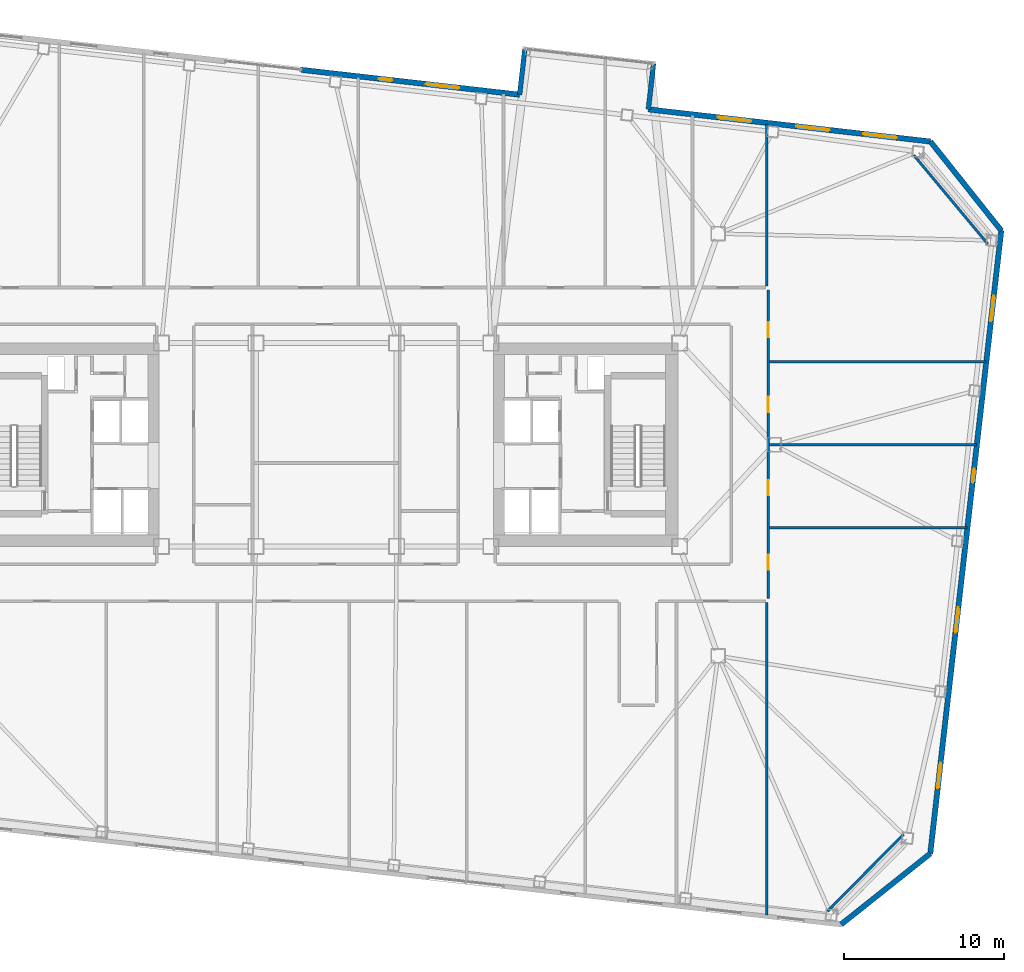
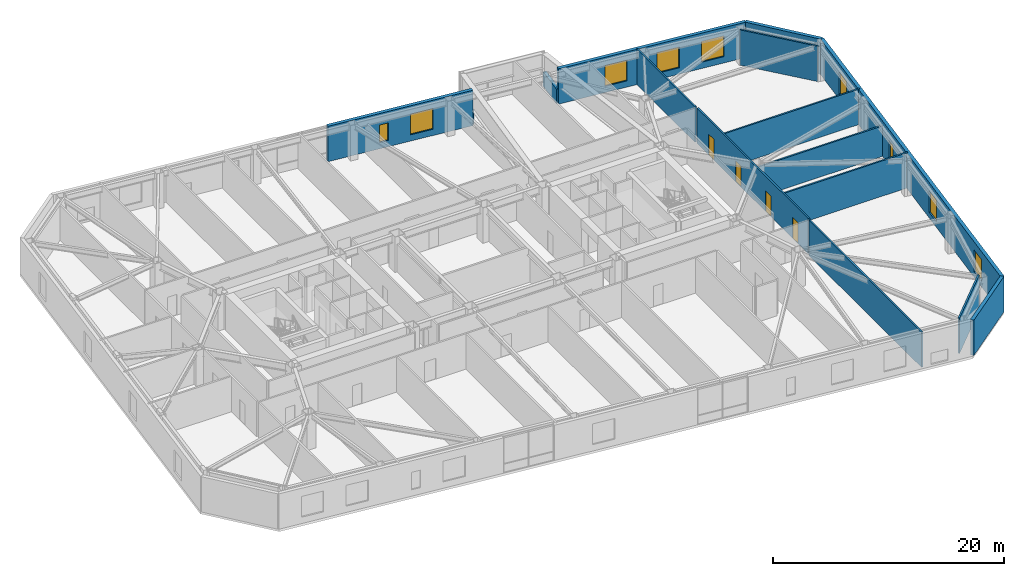
# One storey, part 17 of 23: 15 walls, 9 windows, 4 doors, 13 openings.
"""IFC4 building model written with IfcOpenShell, lengths in metres."""

from ifc_helpers import new_model, si_unit, direction, frame, frame_2d, origin, place, context, subcontext, project, spatial, rectangle, extrude, material, layer, layer_set, type_object, element, fill, save


model = new_model("IFC4")

# Units and contexts
model_context = context("Model", 3, precision=1e-05, world=origin(), true_north=direction((0.0, 1.0)))
body_context = subcontext(model_context, "Body", "Model", "MODEL_VIEW")
ifc_project = project(units=[si_unit("LENGTHUNIT", "METRE"), si_unit("AREAUNIT", "SQUARE_METRE"), si_unit("VOLUMEUNIT", "CUBIC_METRE"), si_unit("PLANEANGLEUNIT", "RADIAN"), si_unit("MASSUNIT", "GRAM", prefix="KILO")], contexts=[model_context])

# Site, building, storey
site_placement = place(None, origin())
site = spatial("IfcSite", under=ifc_project, at=site_placement, CompositionType="ELEMENT")
building_placement = place(site_placement, origin())
building = spatial("IfcBuilding", under=site, at=building_placement, Name="Tavrogorsk Clinical Tower", CompositionType="ELEMENT")
storey_placement = place(building_placement, frame((0.0, 0.0, 113.39990234375)))
storey = spatial("IfcBuildingStorey", under=building, at=storey_placement, Name="L25", CompositionType="ELEMENT", Elevation=113.39990234375)

# Walls
ifc_material_1 = material(Name="Lightweight concrete blockwork B15", Category="masonry")
ifc_layer_1 = layer(ifc_material_1, 0.159912109375)
ifc_layer_set_1 = layer_set([ifc_layer_1], Name="Lightweight concrete blockwork B15")
wall_type_1 = type_object("IfcWallType", Name="PartitionWall_160", PredefinedType="PARTITIONING", material=ifc_layer_set_1)
wall_1_placement = place(storey_placement, frame((31.34130859375, -29.162109375, 0.0), z_axis=(0.0, 0.0, 1.0), x_axis=(0.702905898933, 0.711282853192, 0.0)))
element("IfcWall", 1, at=wall_1_placement, inside=storey, type_object=wall_type_1, Name="L25 Corner Exoskeleton Brace Furring Wall 1", PredefinedType="PARTITIONING", context=body_context, shape_type="SweptSolid", body=[
    extrude(rectangle(XDim=6.761474609375, YDim=0.159912109375, at=frame_2d((3.380859375, 0.0))), origin(), (0.0, 0.0, 1.0), 3.739990234375),
])
wall_2_placement = place(storey_placement, frame((41.36083984375, 12.555908203125, 0.0), z_axis=(0.0, 0.0, 1.0), x_axis=(-0.640217638562, 0.768193579298, 0.0)))
element("IfcWall", 2, at=wall_2_placement, inside=storey, type_object=wall_type_1, Name="L25 Corner Exoskeleton Brace Furring Wall 2", PredefinedType="PARTITIONING", context=body_context, shape_type="SweptSolid", body=[
    extrude(rectangle(XDim=7.224365234375, YDim=0.159912109375, at=frame_2d((3.6123046875, 0.0))), origin(), (0.0, 0.0, 1.0), 3.739990234375),
])

# Wall, openings, doors
wall_3_placement = place(storey_placement, frame((27.6298828125, 9.6650390625, 0.0), z_axis=(0.0, 0.0, 1.0), x_axis=(0.0, -1.0, 0.0)))
wall_3 = element("IfcWall", 3, at=wall_3_placement, inside=storey, type_object=wall_type_1, Name="L25 Corridor Partition 04", PredefinedType="PARTITIONING", context=body_context, shape_type="SweptSolid", body=[
    extrude(rectangle(XDim=19.280029296875, YDim=0.159912109375, at=frame_2d((9.64013671875, 0.0))), origin(), (0.0, 0.0, 1.0), 3.739990234375),
])
opening_1_placement = place(wall_3_placement, frame((16.531005859375, 0.0, 0.0)))
opening_1 = element("IfcOpeningElement", 4, at=opening_1_placement, cuts=wall_3, Name="Opening ID-02", PredefinedType="OPENING", context=body_context, shape_type="SweptSolid", body=[
    extrude(rectangle(XDim=0.949951171875, YDim=2.199951171875, at=frame_2d((0.47509765625, 1.10009765625))), frame((0.0, 0.08984375, 0.0), z_axis=(0.0, -1.0, 0.0), x_axis=(1.0, 0.0, 0.0)), (0.0, 0.0, 1.0), 0.179931640625),
])
opening_2_placement = place(wall_3_placement, frame((11.875, 0.0, 0.0)))
opening_2 = element("IfcOpeningElement", 5, at=opening_2_placement, cuts=wall_3, Name="Opening ID-02", PredefinedType="OPENING", context=body_context, shape_type="SweptSolid", body=[
    extrude(rectangle(XDim=0.949951171875, YDim=2.199951171875, at=frame_2d((0.47509765625, 1.10009765625))), frame((0.0, 0.08984375, 0.0), z_axis=(0.0, -1.0, 0.0), x_axis=(1.0, 0.0, 0.0)), (0.0, 0.0, 1.0), 0.179931640625),
])
opening_3_placement = place(wall_3_placement, frame((6.675048828125, 0.0, 0.0)))
opening_3 = element("IfcOpeningElement", 6, at=opening_3_placement, cuts=wall_3, Name="Opening ID-02", PredefinedType="OPENING", context=body_context, shape_type="SweptSolid", body=[
    extrude(rectangle(XDim=0.949951171875, YDim=2.199951171875, at=frame_2d((0.47509765625, 1.10009765625))), frame((0.0, 0.08984375, 0.0), z_axis=(0.0, -1.0, 0.0), x_axis=(1.0, 0.0, 0.0)), (0.0, 0.0, 1.0), 0.179931640625),
])
opening_4_placement = place(wall_3_placement, frame((1.994140625, 0.0, 0.0)))
opening_4 = element("IfcOpeningElement", 7, at=opening_4_placement, cuts=wall_3, Name="Opening ID-02", PredefinedType="OPENING", context=body_context, shape_type="SweptSolid", body=[
    extrude(rectangle(XDim=0.949951171875, YDim=2.199951171875, at=frame_2d((0.47509765625, 1.10009765625))), frame((0.0, 0.08984375, 0.0), z_axis=(0.0, -1.0, 0.0), x_axis=(1.0, 0.0, 0.0)), (0.0, 0.0, 1.0), 0.179931640625),
])
ifc_material_2 = material(Name="Laminated timber leaf on aluminium frame", Category="wood")
door_type = type_object("IfcDoorType", Name="InteriorDoor_ID02_950", OperationType="NOTDEFINED", PredefinedType="DOOR", material=ifc_material_2)
door_1_placement = place(opening_1_placement, origin())
door_1 = element("IfcDoor", 8, at=door_1_placement, inside=storey, type_object=door_type, Name="L25 E Senior Clinician Suite 1 Door", OperationType="SINGLE_SWING_RIGHT", OverallHeight=2.199951171875, OverallWidth=0.949951171875, PredefinedType="DOOR", context=body_context, shape_type="SweptSolid", body=[
    extrude(rectangle(XDim=0.949951171875, YDim=2.199951171875, at=frame_2d((0.47509765625, 1.10009765625))), frame((0.0, 0.02490234375, 0.0), z_axis=(0.0, -1.0, 0.0), x_axis=(1.0, 0.0, 0.0)), (0.0, 0.0, 1.0), 0.050048828125),
])
fill(opening_1, door_1)
door_2_placement = place(opening_2_placement, origin())
door_2 = element("IfcDoor", 9, at=door_2_placement, inside=storey, type_object=door_type, Name="L25 E Multidisciplinary Seminar Suite 2 Door", OperationType="SINGLE_SWING_LEFT", OverallHeight=2.199951171875, OverallWidth=0.949951171875, PredefinedType="DOOR", context=body_context, shape_type="SweptSolid", body=[
    extrude(rectangle(XDim=0.949951171875, YDim=2.199951171875, at=frame_2d((0.47509765625, 1.10009765625))), frame((0.0, 0.02490234375, 0.0), z_axis=(0.0, -1.0, 0.0), x_axis=(1.0, 0.0, 0.0)), (0.0, 0.0, 1.0), 0.050048828125),
])
fill(opening_2, door_2)
door_3_placement = place(opening_3_placement, origin())
door_3 = element("IfcDoor", 10, at=door_3_placement, inside=storey, type_object=door_type, Name="L25 E Specialist Consultation Room 3 Door", OperationType="SINGLE_SWING_RIGHT", OverallHeight=2.199951171875, OverallWidth=0.949951171875, PredefinedType="DOOR", context=body_context, shape_type="SweptSolid", body=[
    extrude(rectangle(XDim=0.949951171875, YDim=2.199951171875, at=frame_2d((0.47509765625, 1.10009765625))), frame((0.0, 0.02490234375, 0.0), z_axis=(0.0, -1.0, 0.0), x_axis=(1.0, 0.0, 0.0)), (0.0, 0.0, 1.0), 0.050048828125),
])
fill(opening_3, door_3)
door_4_placement = place(opening_4_placement, origin())
door_4 = element("IfcDoor", 11, at=door_4_placement, inside=storey, type_object=door_type, Name="L25 E Clinical Fellows' Study 4 Door", OperationType="SINGLE_SWING_LEFT", OverallHeight=2.199951171875, OverallWidth=0.949951171875, PredefinedType="DOOR", context=body_context, shape_type="SweptSolid", body=[
    extrude(rectangle(XDim=0.949951171875, YDim=2.199951171875, at=frame_2d((0.47509765625, 1.10009765625))), frame((0.0, 0.02490234375, 0.0), z_axis=(0.0, -1.0, 0.0), x_axis=(1.0, 0.0, 0.0)), (0.0, 0.0, 1.0), 0.050048828125),
])
fill(opening_4, door_4)

# Walls
wall_4_placement = place(storey_placement, frame((27.550048828125, 9.9150390625, 0.0), z_axis=(0.0, 0.0, 1.0), x_axis=(0.0, 1.0, 0.0)))
element("IfcWall", 12, at=wall_4_placement, inside=storey, type_object=wall_type_1, Name="L25 NE Wing Closure Partition", PredefinedType="PARTITIONING", context=body_context, shape_type="SweptSolid", body=[
    extrude(rectangle(XDim=10.138427734375, YDim=0.159912109375, at=frame_2d((5.0693359375, 0.0))), origin(), (0.0, 0.0, 1.0), 3.739990234375),
])
wall_5_placement = place(storey_placement, frame((27.550048828125, -29.384521484375, 0.0), z_axis=(0.0, 0.0, 1.0), x_axis=(0.0, 1.0, 0.0)))
element("IfcWall", 13, at=wall_5_placement, inside=storey, type_object=wall_type_1, Name="L25 SE Wing Closure Partition", PredefinedType="PARTITIONING", context=body_context, shape_type="SweptSolid", body=[
    extrude(rectangle(XDim=19.51953125, YDim=0.159912109375, at=frame_2d((9.759765625, 0.0))), origin(), (0.0, 0.0, 1.0), 3.739990234375),
])
wall_6_placement = place(storey_placement, frame((27.715087890625, -5.199951171875, 0.0), z_axis=(0.0, 0.0, 1.0), x_axis=(1.0, 0.0, 0.0)))
element("IfcWall", 14, at=wall_6_placement, inside=storey, type_object=wall_type_1, Name="L25 E Wing Divider 1", PredefinedType="PARTITIONING", context=body_context, shape_type="SweptSolid", body=[
    extrude(rectangle(XDim=12.35205078125, YDim=0.159912109375, at=frame_2d((6.176025390625, 0.0))), origin(), (0.0, 0.0, 1.0), 3.739990234375),
])
wall_7_placement = place(storey_placement, frame((27.715087890625, 0.0, 0.0), z_axis=(0.0, 0.0, 1.0), x_axis=(1.0, 0.0, 0.0)))
element("IfcWall", 15, at=wall_7_placement, inside=storey, type_object=wall_type_1, Name="L25 E Wing Divider 2", PredefinedType="PARTITIONING", context=body_context, shape_type="SweptSolid", body=[
    extrude(rectangle(XDim=12.944580078125, YDim=0.159912109375, at=frame_2d((6.47216796875, 0.0))), origin(), (0.0, 0.0, 1.0), 3.235107421875),
])
wall_8_placement = place(storey_placement, frame((27.715087890625, 5.199951171875, 0.0), z_axis=(0.0, 0.0, 1.0), x_axis=(1.0, 0.0, 0.0)))
element("IfcWall", 16, at=wall_8_placement, inside=storey, type_object=wall_type_1, Name="L25 E Wing Divider 3", PredefinedType="PARTITIONING", context=body_context, shape_type="SweptSolid", body=[
    extrude(rectangle(XDim=13.537109375, YDim=0.159912109375, at=frame_2d((6.7685546875, 0.0))), origin(), (0.0, 0.0, 1.0), 3.739990234375),
])

# Wall, openings, windows
ifc_material_3 = material(Name="Precast concrete B45 with limestone cladding", Category="masonry")
ifc_layer_2 = layer(ifc_material_3, 0.340087890625)
ifc_layer_set_2 = layer_set([ifc_layer_2], Name="Precast concrete B45 with limestone cladding")
wall_type_2 = type_object("IfcWallType", Name="PrecastLimestoneWall_340", PredefinedType="STANDARD", material=ifc_layer_set_2)
wall_9_placement = place(storey_placement, frame((37.77734375, 18.95849609375, 0.0), z_axis=(0.0, 0.0, 1.0), x_axis=(-0.993570699365, 0.113213362125, 0.0)))
wall_9 = element("IfcWall", 17, at=wall_9_placement, inside=storey, type_object=wall_type_2, Name="L25 N Limestone Facade Wall 1", PredefinedType="STANDARD", context=body_context, shape_type="SweptSolid", body=[
    extrude(rectangle(XDim=17.749755859375, YDim=0.340087890625, at=frame_2d((8.875, 0.0))), origin(), (0.0, 0.0, 1.0), 3.739990234375),
])
opening_5_placement = place(wall_9_placement, frame((11.284912109375, 0.0, 0.669921875)))
opening_5 = element("IfcOpeningElement", 18, at=opening_5_placement, cuts=wall_9, Name="Opening WN-03", PredefinedType="OPENING", context=body_context, shape_type="SweptSolid", body=[
    extrude(rectangle(XDim=2.10009765625, YDim=2.199951171875, at=frame_2d((1.050048828125, 1.10009765625))), frame((0.0, 0.179931640625, 0.0), z_axis=(0.0, -1.0, 0.0), x_axis=(1.0, 0.0, 0.0)), (0.0, 0.0, 1.0), 0.360107421875),
])
opening_6_placement = place(wall_9_placement, frame((6.335693359375, 0.0, 0.669921875)))
opening_6 = element("IfcOpeningElement", 19, at=opening_6_placement, cuts=wall_9, Name="Opening WN-03", PredefinedType="OPENING", context=body_context, shape_type="SweptSolid", body=[
    extrude(rectangle(XDim=2.10009765625, YDim=2.199951171875, at=frame_2d((1.050048828125, 1.10009765625))), frame((0.0, 0.179931640625, 0.0), z_axis=(0.0, -1.0, 0.0), x_axis=(1.0, 0.0, 0.0)), (0.0, 0.0, 1.0), 0.360107421875),
])
opening_7_placement = place(wall_9_placement, frame((2.125244140625, 0.0, 0.669921875)))
opening_7 = element("IfcOpeningElement", 20, at=opening_7_placement, cuts=wall_9, Name="Opening WN-03", PredefinedType="OPENING", context=body_context, shape_type="SweptSolid", body=[
    extrude(rectangle(XDim=2.10009765625, YDim=2.199951171875, at=frame_2d((1.050048828125, 1.10009765625))), frame((0.0, 0.179931640625, 0.0), z_axis=(0.0, -1.0, 0.0), x_axis=(1.0, 0.0, 0.0)), (0.0, 0.0, 1.0), 0.360107421875),
])
ifc_material_4 = material(Name="Thermally broken aluminium frame and triple IGU", Category="aluminium")
window_type_1 = type_object("IfcWindowType", Name="PatientTwinWin_2100x2200", PartitioningType="DOUBLE_PANEL_VERTICAL", PredefinedType="WINDOW", material=ifc_material_4)
window_1_placement = place(opening_5_placement, origin())
window_1 = element("IfcWindow", 21, at=window_1_placement, inside=storey, type_object=window_type_1, Name="L25 N Chicago Window 08", OverallHeight=2.199951171875, OverallWidth=2.10009765625, PartitioningType="SINGLE_PANEL", PredefinedType="WINDOW", context=body_context, shape_type="SweptSolid", body=[
    extrude(rectangle(XDim=2.10009765625, YDim=2.199951171875, at=frame_2d((1.050048828125, 1.10009765625))), frame((0.0, 0.030029296875, 0.0), z_axis=(0.0, -1.0, 0.0), x_axis=(1.0, 0.0, 0.0)), (0.0, 0.0, 1.0), 0.06005859375),
])
fill(opening_5, window_1)
window_2_placement = place(opening_6_placement, origin())
window_2 = element("IfcWindow", 22, at=window_2_placement, inside=storey, type_object=window_type_1, Name="L25 N Chicago Window 09", OverallHeight=2.199951171875, OverallWidth=2.10009765625, PartitioningType="SINGLE_PANEL", PredefinedType="WINDOW", context=body_context, shape_type="SweptSolid", body=[
    extrude(rectangle(XDim=2.10009765625, YDim=2.199951171875, at=frame_2d((1.050048828125, 1.10009765625))), frame((0.0, 0.030029296875, 0.0), z_axis=(0.0, -1.0, 0.0), x_axis=(1.0, 0.0, 0.0)), (0.0, 0.0, 1.0), 0.06005859375),
])
fill(opening_6, window_2)
window_3_placement = place(opening_7_placement, origin())
window_3 = element("IfcWindow", 23, at=window_3_placement, inside=storey, type_object=window_type_1, Name="L25 N Chicago Window 10", OverallHeight=2.199951171875, OverallWidth=2.10009765625, PartitioningType="SINGLE_PANEL", PredefinedType="WINDOW", context=body_context, shape_type="SweptSolid", body=[
    extrude(rectangle(XDim=2.10009765625, YDim=2.199951171875, at=frame_2d((1.050048828125, 1.10009765625))), frame((0.0, 0.030029296875, 0.0), z_axis=(0.0, -1.0, 0.0), x_axis=(1.0, 0.0, 0.0)), (0.0, 0.0, 1.0), 0.06005859375),
])
fill(opening_7, window_3)

wall_10_placement = place(storey_placement, frame((12.093505859375, 21.885009765625, 0.0), z_axis=(0.0, 0.0, 1.0), x_axis=(-0.993571881197, 0.113202989776, 0.0)))
wall_10 = element("IfcWall", 24, at=wall_10_placement, inside=storey, type_object=wall_type_2, Name="L25 N Limestone Facade Wall 2", PredefinedType="STANDARD", context=body_context, shape_type="SweptSolid", body=[
    extrude(rectangle(XDim=13.72705078125, YDim=0.340087890625, at=frame_2d((6.863525390625, 0.0))), origin(), (0.0, 0.0, 1.0), 3.739990234375),
])
opening_8_placement = place(wall_10_placement, frame((8.0107421875, 0.0, 0.669921875)))
opening_8 = element("IfcOpeningElement", 25, at=opening_8_placement, cuts=wall_10, Name="Opening WN-06", PredefinedType="OPENING", context=body_context, shape_type="SweptSolid", body=[
    extrude(rectangle(XDim=0.85009765625, YDim=1.85009765625, at=frame_2d((0.425048828125, 0.925048828125))), frame((0.0, 0.179931640625, 0.0), z_axis=(0.0, -1.0, 0.0), x_axis=(1.0, 0.0, 0.0)), (0.0, 0.0, 1.0), 0.360107421875),
])
opening_9_placement = place(wall_10_placement, frame((3.789306640625, 0.0, 0.669921875)))
opening_9 = element("IfcOpeningElement", 26, at=opening_9_placement, cuts=wall_10, Name="Opening WN-03", PredefinedType="OPENING", context=body_context, shape_type="SweptSolid", body=[
    extrude(rectangle(XDim=2.10009765625, YDim=2.199951171875, at=frame_2d((1.050048828125, 1.10009765625))), frame((0.0, 0.179931640625, 0.0), z_axis=(0.0, -1.0, 0.0), x_axis=(1.0, 0.0, 0.0)), (0.0, 0.0, 1.0), 0.360107421875),
])
ifc_material_5 = material(Name="Thermally broken aluminium frame and triple IGU", Category="aluminium")
window_type_2 = type_object("IfcWindowType", Name="MullionSubWin_850x1850", PartitioningType="SINGLE_PANEL", PredefinedType="WINDOW", material=ifc_material_5)
window_4_placement = place(opening_8_placement, origin())
window_4 = element("IfcWindow", 27, at=window_4_placement, inside=storey, type_object=window_type_2, Name="L25 N Mullion Split Window 05A", OverallHeight=1.85009765625, OverallWidth=0.85009765625, PartitioningType="SINGLE_PANEL", PredefinedType="WINDOW", context=body_context, shape_type="SweptSolid", body=[
    extrude(rectangle(XDim=0.85009765625, YDim=1.85009765625, at=frame_2d((0.425048828125, 0.925048828125))), frame((0.0, 0.030029296875, 0.0), z_axis=(0.0, -1.0, 0.0), x_axis=(1.0, 0.0, 0.0)), (0.0, 0.0, 1.0), 0.06005859375),
])
fill(opening_8, window_4)
window_5_placement = place(opening_9_placement, origin())
window_5 = element("IfcWindow", 28, at=window_5_placement, inside=storey, type_object=window_type_1, Name="L25 N Chicago Window 06", OverallHeight=2.199951171875, OverallWidth=2.10009765625, PartitioningType="SINGLE_PANEL", PredefinedType="WINDOW", context=body_context, shape_type="SweptSolid", body=[
    extrude(rectangle(XDim=2.10009765625, YDim=2.199951171875, at=frame_2d((1.050048828125, 1.10009765625))), frame((0.0, 0.030029296875, 0.0), z_axis=(0.0, -1.0, 0.0), x_axis=(1.0, 0.0, 0.0)), (0.0, 0.0, 1.0), 0.06005859375),
])
fill(opening_9, window_5)

wall_11_placement = place(storey_placement, frame((37.76806640625, -25.556396484375, 0.0), z_axis=(0.0, 0.0, 1.0), x_axis=(0.113201605824, 0.993572038877, 0.0)))
wall_11 = element("IfcWall", 29, at=wall_11_placement, inside=storey, type_object=wall_type_2, Name="L25 E Pleated Limestone Wing Wall", PredefinedType="STANDARD", context=body_context, shape_type="SweptSolid", body=[
    extrude(rectangle(XDim=39.199951171875, YDim=0.340087890625, at=frame_2d((19.60009765625, 0.0))), origin(), (0.0, 0.0, 1.0), 3.739990234375),
])
opening_10_placement = place(wall_11_placement, frame((4.10009765625, 0.0, 0.580078125)))
opening_10 = element("IfcOpeningElement", 30, at=opening_10_placement, cuts=wall_11, Name="Opening WN-07", PredefinedType="OPENING", context=body_context, shape_type="SweptSolid", body=[
    extrude(rectangle(XDim=1.60009765625, YDim=2.300048828125, at=frame_2d((0.800048828125, 1.14990234375))), frame((0.0, 0.179931640625, 0.0), z_axis=(0.0, -1.0, 0.0), x_axis=(1.0, 0.0, 0.0)), (0.0, 0.0, 1.0), 0.360107421875),
])
opening_11_placement = place(wall_11_placement, frame((13.89990234375, 0.0, 0.580078125)))
opening_11 = element("IfcOpeningElement", 31, at=opening_11_placement, cuts=wall_11, Name="Opening WN-07", PredefinedType="OPENING", context=body_context, shape_type="SweptSolid", body=[
    extrude(rectangle(XDim=1.60009765625, YDim=2.300048828125, at=frame_2d((0.800048828125, 1.14990234375))), frame((0.0, 0.179931640625, 0.0), z_axis=(0.0, -1.0, 0.0), x_axis=(1.0, 0.0, 0.0)), (0.0, 0.0, 1.0), 0.360107421875),
])
opening_12_placement = place(wall_11_placement, frame((23.35009765625, 0.0, 0.75)))
opening_12 = element("IfcOpeningElement", 32, at=opening_12_placement, cuts=wall_11, Name="Opening WN-06", PredefinedType="OPENING", context=body_context, shape_type="SweptSolid", body=[
    extrude(rectangle(XDim=0.85009765625, YDim=1.85009765625, at=frame_2d((0.425048828125, 0.925048828125))), frame((0.0, 0.179931640625, 0.0), z_axis=(0.0, -1.0, 0.0), x_axis=(1.0, 0.0, 0.0)), (0.0, 0.0, 1.0), 0.360107421875),
])
opening_13_placement = place(wall_11_placement, frame((33.5, 0.0, 0.580078125)))
opening_13 = element("IfcOpeningElement", 33, at=opening_13_placement, cuts=wall_11, Name="Opening WN-07", PredefinedType="OPENING", context=body_context, shape_type="SweptSolid", body=[
    extrude(rectangle(XDim=1.60009765625, YDim=2.300048828125, at=frame_2d((0.800048828125, 1.14990234375))), frame((0.0, 0.179931640625, 0.0), z_axis=(0.0, -1.0, 0.0), x_axis=(1.0, 0.0, 0.0)), (0.0, 0.0, 1.0), 0.360107421875),
])
window_6_placement = place(opening_12_placement, origin())
window_6 = element("IfcWindow", 34, at=window_6_placement, inside=storey, type_object=window_type_2, Name="L25 E Pleat Mullion Window 3A", OverallHeight=1.85009765625, OverallWidth=0.85009765625, PartitioningType="SINGLE_PANEL", PredefinedType="WINDOW", context=body_context, shape_type="SweptSolid", body=[
    extrude(rectangle(XDim=0.85009765625, YDim=1.85009765625, at=frame_2d((0.425048828125, 0.925048828125))), frame((0.0, 0.030029296875, 0.0), z_axis=(0.0, -1.0, 0.0), x_axis=(1.0, 0.0, 0.0)), (0.0, 0.0, 1.0), 0.06005859375),
])
fill(opening_12, window_6)
ifc_material_6 = material(Name="Thermally broken aluminium frame and triple IGU", Category="aluminium")
window_type_3 = type_object("IfcWindowType", Name="PleatSlotWin_1600x2300", PartitioningType="SINGLE_PANEL", PredefinedType="WINDOW", material=ifc_material_6)
window_7_placement = place(opening_10_placement, origin())
window_7 = element("IfcWindow", 35, at=window_7_placement, inside=storey, type_object=window_type_3, Name="L25 E Pleat Slot Window 1", OverallHeight=2.300048828125, OverallWidth=1.60009765625, PartitioningType="SINGLE_PANEL", PredefinedType="WINDOW", context=body_context, shape_type="SweptSolid", body=[
    extrude(rectangle(XDim=1.60009765625, YDim=2.300048828125, at=frame_2d((0.800048828125, 1.14990234375))), frame((0.0, 0.030029296875, 0.0), z_axis=(0.0, -1.0, 0.0), x_axis=(1.0, 0.0, 0.0)), (0.0, 0.0, 1.0), 0.06005859375),
])
fill(opening_10, window_7)
window_8_placement = place(opening_11_placement, origin())
window_8 = element("IfcWindow", 36, at=window_8_placement, inside=storey, type_object=window_type_3, Name="L25 E Pleat Slot Window 2", OverallHeight=2.300048828125, OverallWidth=1.60009765625, PartitioningType="SINGLE_PANEL", PredefinedType="WINDOW", context=body_context, shape_type="SweptSolid", body=[
    extrude(rectangle(XDim=1.60009765625, YDim=2.300048828125, at=frame_2d((0.800048828125, 1.14990234375))), frame((0.0, 0.030029296875, 0.0), z_axis=(0.0, -1.0, 0.0), x_axis=(1.0, 0.0, 0.0)), (0.0, 0.0, 1.0), 0.06005859375),
])
fill(opening_11, window_8)
window_9_placement = place(opening_13_placement, origin())
window_9 = element("IfcWindow", 37, at=window_9_placement, inside=storey, type_object=window_type_3, Name="L25 E Pleat Slot Window 4", OverallHeight=2.300048828125, OverallWidth=1.60009765625, PartitioningType="SINGLE_PANEL", PredefinedType="WINDOW", context=body_context, shape_type="SweptSolid", body=[
    extrude(rectangle(XDim=1.60009765625, YDim=2.300048828125, at=frame_2d((0.800048828125, 1.14990234375))), frame((0.0, 0.030029296875, 0.0), z_axis=(0.0, -1.0, 0.0), x_axis=(1.0, 0.0, 0.0)), (0.0, 0.0, 1.0), 0.06005859375),
])
fill(opening_13, window_9)

# Walls
wall_12_placement = place(storey_placement, frame((32.200927734375, -29.984619140625, 0.0), z_axis=(0.0, 0.0, 1.0), x_axis=(0.78261359446, 0.622507800567, 0.0)))
element("IfcWall", 38, at=wall_12_placement, inside=storey, type_object=wall_type_2, Name="L25 Chamfered Corner Wall 1", PredefinedType="STANDARD", context=body_context, shape_type="SweptSolid", body=[
    extrude(rectangle(XDim=7.113525390625, YDim=0.340087890625, at=frame_2d((3.556640625, 0.0))), origin(), (0.0, 0.0, 1.0), 3.739990234375),
])
wall_13_placement = place(storey_placement, frame((42.20556640625, 13.3916015625, 0.0), z_axis=(0.0, 0.0, 1.0), x_axis=(-0.622524521309, 0.782600294128, 0.0)))
element("IfcWall", 39, at=wall_13_placement, inside=storey, type_object=wall_type_2, Name="L25 Chamfered Corner Wall 2", PredefinedType="STANDARD", context=body_context, shape_type="SweptSolid", body=[
    extrude(rectangle(XDim=7.11328125, YDim=0.340087890625, at=frame_2d((3.556640625, 0.0))), origin(), (0.0, 0.0, 1.0), 3.739990234375),
])
ifc_material_7 = material(Name="Precast concrete B45 with mineral wool", Category="concrete")
ifc_layer_3 = layer(ifc_material_7, 0.300048828125)
ifc_layer_set_3 = layer_set([ifc_layer_3], Name="Precast concrete B45 with mineral wool")
wall_type_3 = type_object("IfcWallType", Name="SpandrelBackWall_300", PredefinedType="STANDARD", material=ifc_layer_set_3)
for number, where, z_axis, x_axis, name in (
    (40, (12.093505859375, 21.885009765625, 0.0), (0.0, 0.0, 1.0), (0.113222704107, 0.993569634839, 0.0), "L25 Day-Room Cheek Wall DRB-04-L"),
    (41, (20.141357421875, 20.968017578125, 0.0), (0.0, 0.0, 1.0), (0.113222704107, 0.993569634839, 0.0), "L25 Day-Room Cheek Wall DRB-04-R"),
):
    element("IfcWall", number, at=place(storey_placement, frame(where, z_axis=z_axis, x_axis=x_axis)), inside=storey, type_object=wall_type_3, Name=name, PredefinedType="STANDARD", context=body_context, shape_type="SweptSolid", body=[
        extrude(rectangle(XDim=2.8701171875, YDim=0.300048828125, at=frame_2d((1.43505859375, 0.0))), origin(), (0.0, 0.0, 1.0), 1.53515625),
    ])

save(model, "model.ifc")
